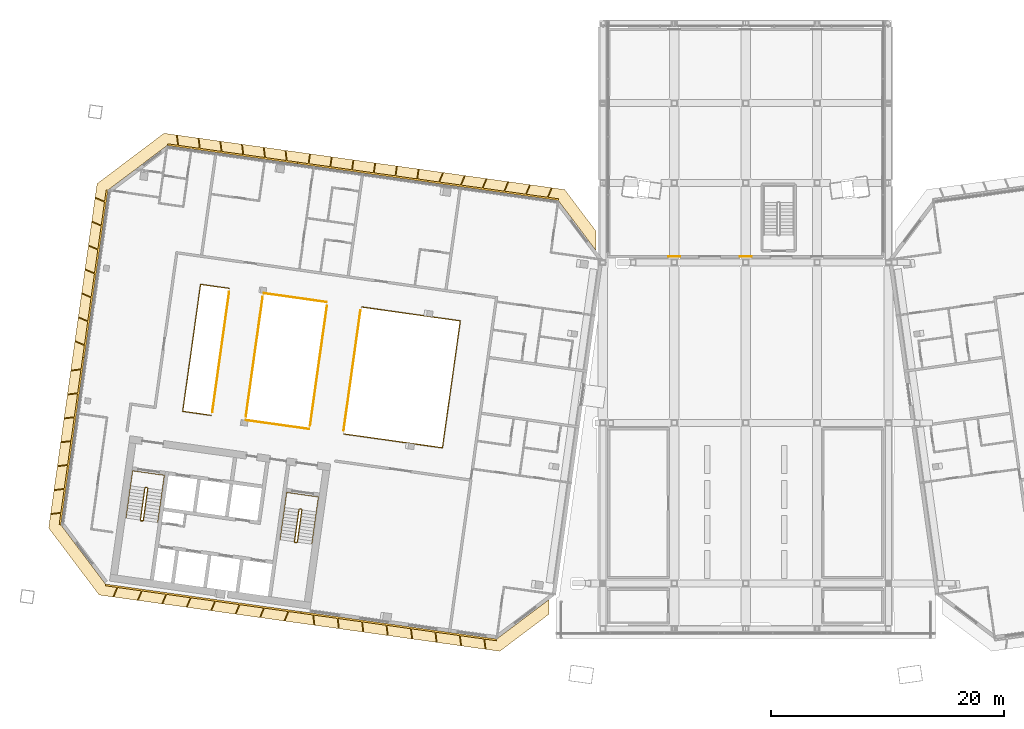
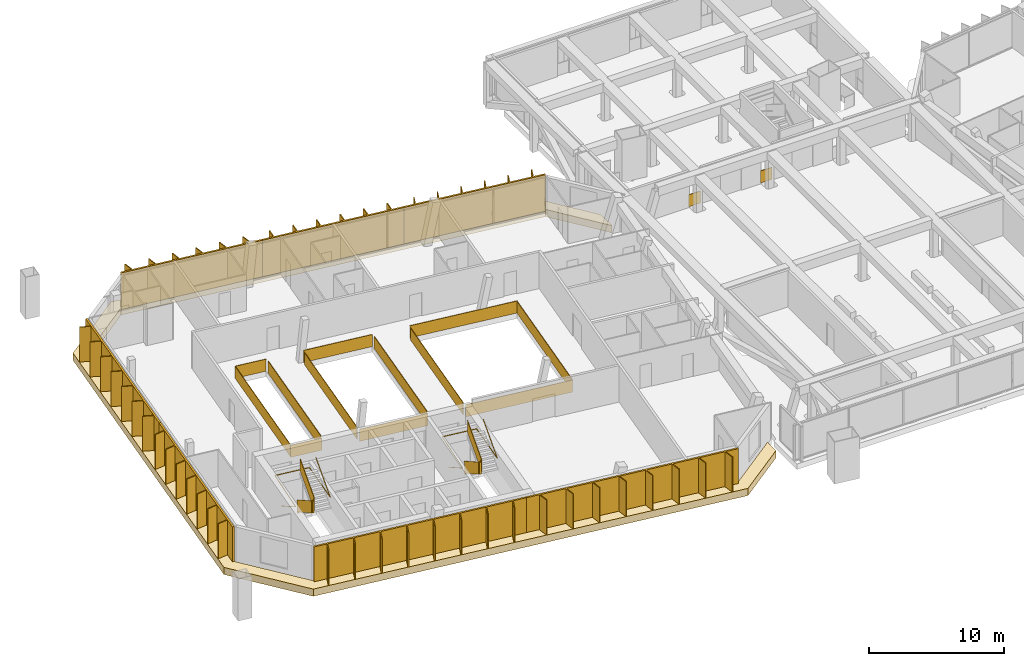
# One storey, part 23 of 25: 14 railings, 7 shading devices, 1 covering.
"""IFC4 building model written with IfcOpenShell, lengths in metres."""

from ifc_helpers import new_model, si_unit, direction, frame, origin, origin_2d, place, context, subcontext, project, spatial, polyline, rectangle, outline, extrude, material, layer, layer_set, type_object, element, save


model = new_model("IFC4")

# Units and contexts
model_context = context("Model", 3, precision=1e-05, world=origin(), true_north=direction((0.0, 1.0)))
body_context = subcontext(model_context, "Body", "Model", "MODEL_VIEW")
ifc_project = project(units=[si_unit("LENGTHUNIT", "METRE"), si_unit("AREAUNIT", "SQUARE_METRE"), si_unit("VOLUMEUNIT", "CUBIC_METRE"), si_unit("PLANEANGLEUNIT", "RADIAN"), si_unit("MASSUNIT", "GRAM", prefix="KILO")], contexts=[model_context])

# Site, building, storey
site_placement = place(None, origin())
site = spatial("IfcSite", under=ifc_project, at=site_placement, CompositionType="ELEMENT")
building_placement = place(site_placement, origin())
building = spatial("IfcBuilding", under=site, at=building_placement, Name="Mirante Cascada Hotel Towers", CompositionType="ELEMENT")
storey_placement = place(building_placement, frame((0.0, 0.0, 266.0)))
storey = spatial("IfcBuildingStorey", under=building, at=storey_placement, Name="L64", CompositionType="ELEMENT", Elevation=266.0)

# Railings
ifc_material_1 = material(Name="Toughened glass with stainless steel handrail", Category="steel")
railing_type_1 = type_object("IfcRailingType", Name="Atrium guard 1100 glass balustrade", PredefinedType="GUARDRAIL", material=ifc_material_1)
railing_1_placement = place(storey_placement, frame((-32.9602, 6.0907, 0.0)))
element("IfcRailing", 1, at=railing_1_placement, inside=storey, type_object=railing_type_1, Name="GUARD 1-L64-1", PredefinedType="GUARDRAIL", context=body_context, shape_type="SweptSolid", body=[
    extrude(rectangle(XDim=0.048, YDim=0.048, at=origin_2d()), frame((0.0, 0.0, 1.076), z_axis=(0.990269, -0.1391666, 0.0), x_axis=(0.1391666, 0.990269, 0.0)), (0.0, 0.0, 1.0), 8.5574),
    extrude(rectangle(XDim=0.02, YDim=1.052, at=origin_2d()), frame((0.0, 0.0, 0.526), z_axis=(0.990269, -0.1391666, 0.0), x_axis=(0.1391666, 0.990269, 0.0)), (0.0, 0.0, 1.0), 8.5574),
    extrude(rectangle(XDim=0.048, YDim=0.048, at=origin_2d()), frame((8.4741, -1.1909, 1.076), z_axis=(-0.1391721, -0.9902682, 0.0), x_axis=(0.9902682, -0.1391721, 0.0)), (0.0, 0.0, 1.0), 11.0001),
    extrude(rectangle(XDim=0.02, YDim=1.052, at=origin_2d()), frame((8.4741, -1.1909, 0.526), z_axis=(-0.1391721, -0.9902682, 0.0), x_axis=(0.9902682, -0.1391721, 0.0)), (0.0, 0.0, 1.0), 11.0001),
    extrude(rectangle(XDim=0.048, YDim=0.048, at=origin_2d()), frame((6.9432, -12.0839, 1.076), z_axis=(-0.9902674, 0.139178, 0.0), x_axis=(-0.139178, -0.9902674, 0.0)), (0.0, 0.0, 1.0), 8.5574),
    extrude(rectangle(XDim=0.02, YDim=1.052, at=origin_2d()), frame((6.9432, -12.0839, 0.526), z_axis=(-0.9902674, 0.139178, 0.0), x_axis=(-0.139178, -0.9902674, 0.0)), (0.0, 0.0, 1.0), 8.5574),
])
railing_2_placement = place(storey_placement, frame((-37.4619, -4.3847, 0.0)))
element("IfcRailing", 2, at=railing_2_placement, inside=storey, type_object=railing_type_1, Name="GUARD 1-L64-2", PredefinedType="GUARDRAIL", context=body_context, shape_type="SweptSolid", body=[
    extrude(rectangle(XDim=0.048, YDim=0.048, at=origin_2d()), frame((0.0, 0.0, 1.076), z_axis=(-0.9902697, 0.1391616, 0.0), x_axis=(-0.1391616, -0.9902697, 0.0)), (0.0, 0.0, 1.0), 5.4713),
    extrude(rectangle(XDim=0.02, YDim=1.052, at=origin_2d()), frame((0.0, 0.0, 0.526), z_axis=(-0.9902697, 0.1391616, 0.0), x_axis=(-0.1391616, -0.9902697, 0.0)), (0.0, 0.0, 1.0), 5.4713),
])
railing_3_placement = place(storey_placement, frame((-41.3491, 7.2697, 0.0)))
element("IfcRailing", 3, at=railing_3_placement, inside=storey, type_object=railing_type_1, Name="GUARD 1-L64-3", PredefinedType="GUARDRAIL", context=body_context, shape_type="SweptSolid", body=[
    extrude(rectangle(XDim=0.048, YDim=0.048, at=origin_2d()), frame((0.0, 0.0, 1.076), z_axis=(0.9902672, -0.1391795, 0.0), x_axis=(0.1391795, 0.9902672, 0.0)), (0.0, 0.0, 1.0), 5.4714),
    extrude(rectangle(XDim=0.02, YDim=1.052, at=origin_2d()), frame((0.0, 0.0, 0.526), z_axis=(0.9902672, -0.1391795, 0.0), x_axis=(0.1391795, 0.9902672, 0.0)), (0.0, 0.0, 1.0), 5.4714),
])
railing_4_placement = place(storey_placement, frame((-45.8508, -3.2057, 0.0)))
element("IfcRailing", 4, at=railing_4_placement, inside=storey, type_object=railing_type_1, Name="GUARD 1-L64-4", PredefinedType="GUARDRAIL", context=body_context, shape_type="SweptSolid", body=[
    extrude(rectangle(XDim=0.048, YDim=0.048, at=origin_2d()), frame((0.0, 0.0, 1.076), z_axis=(-0.9902698, 0.1391606, 0.0), x_axis=(-0.1391606, -0.9902698, 0.0)), (0.0, 0.0, 1.0), 2.4712),
    extrude(rectangle(XDim=0.02, YDim=1.052, at=origin_2d()), frame((0.0, 0.0, 0.526), z_axis=(-0.9902698, 0.1391606, 0.0), x_axis=(-0.1391606, -0.9902698, 0.0)), (0.0, 0.0, 1.0), 2.4712),
    extrude(rectangle(XDim=0.048, YDim=0.048, at=origin_2d()), frame((-2.4472, 0.3439, 1.076), z_axis=(0.1391721, 0.9902682, 0.0), x_axis=(-0.9902682, 0.1391721, 0.0)), (0.0, 0.0, 1.0), 11.0001),
    extrude(rectangle(XDim=0.02, YDim=1.052, at=origin_2d()), frame((-2.4472, 0.3439, 0.526), z_axis=(0.1391721, 0.9902682, 0.0), x_axis=(-0.9902682, 0.1391721, 0.0)), (0.0, 0.0, 1.0), 11.0001),
    extrude(rectangle(XDim=0.048, YDim=0.048, at=origin_2d()), frame((-0.9163, 11.2369, 1.076), z_axis=(0.9902642, -0.1392003, 0.0), x_axis=(0.1392003, 0.9902642, 0.0)), (0.0, 0.0, 1.0), 2.4713),
    extrude(rectangle(XDim=0.02, YDim=1.052, at=origin_2d()), frame((-0.9163, 11.2369, 0.526), z_axis=(0.9902642, -0.1392003, 0.0), x_axis=(0.1392003, 0.9902642, 0.0)), (0.0, 0.0, 1.0), 2.4713),
])
railing_5_placement = place(storey_placement, frame((-45.7611, -2.9198, 0.0)))
element("IfcRailing", 5, at=railing_5_placement, inside=storey, type_object=railing_type_1, Name="GUARD 1-L64-5", PredefinedType="GUARDRAIL", context=body_context, shape_type="SweptSolid", body=[
    extrude(rectangle(XDim=0.048, YDim=0.048, at=origin_2d()), frame((0.0, 0.0, 1.076), z_axis=(0.1391815, 0.9902669, 0.0), x_axis=(-0.9902669, 0.1391815, 0.0)), (0.0, 0.0, 1.0), 10.4087),
    extrude(rectangle(XDim=0.02, YDim=1.052, at=origin_2d()), frame((0.0, 0.0, 0.526), z_axis=(0.1391815, 0.9902669, 0.0), x_axis=(-0.9902669, 0.1391815, 0.0)), (0.0, 0.0, 1.0), 10.4087),
])
railing_6_placement = place(storey_placement, frame((-41.4388, 6.9838, 0.0)))
element("IfcRailing", 6, at=railing_6_placement, inside=storey, type_object=railing_type_1, Name="GUARD 1-L64-6", PredefinedType="GUARDRAIL", context=body_context, shape_type="SweptSolid", body=[
    extrude(rectangle(XDim=0.048, YDim=0.048, at=origin_2d()), frame((0.0, 0.0, 1.076), z_axis=(-0.1391708, -0.9902684, 0.0), x_axis=(0.9902684, -0.1391708, 0.0)), (0.0, 0.0, 1.0), 10.4088),
    extrude(rectangle(XDim=0.02, YDim=1.052, at=origin_2d()), frame((0.0, 0.0, 0.526), z_axis=(-0.1391708, -0.9902684, 0.0), x_axis=(0.9902684, -0.1391708, 0.0)), (0.0, 0.0, 1.0), 10.4088),
])
railing_7_placement = place(storey_placement, frame((-37.3722, -4.0988, 0.0)))
element("IfcRailing", 7, at=railing_7_placement, inside=storey, type_object=railing_type_1, Name="GUARD 1-L64-7", PredefinedType="GUARDRAIL", context=body_context, shape_type="SweptSolid", body=[
    extrude(rectangle(XDim=0.048, YDim=0.048, at=origin_2d()), frame((0.0, 0.0, 1.076), z_axis=(0.1391721, 0.9902682, 0.0), x_axis=(-0.9902682, 0.1391721, 0.0)), (0.0, 0.0, 1.0), 10.4087),
    extrude(rectangle(XDim=0.02, YDim=1.052, at=origin_2d()), frame((0.0, 0.0, 0.526), z_axis=(0.1391721, 0.9902682, 0.0), x_axis=(-0.9902682, 0.1391721, 0.0)), (0.0, 0.0, 1.0), 10.4087),
])
railing_8_placement = place(storey_placement, frame((-33.0499, 5.8048, 0.0)))
element("IfcRailing", 8, at=railing_8_placement, inside=storey, type_object=railing_type_1, Name="GUARD 1-L64-8", PredefinedType="GUARDRAIL", context=body_context, shape_type="SweptSolid", body=[
    extrude(rectangle(XDim=0.048, YDim=0.048, at=origin_2d()), frame((0.0, 0.0, 1.076), z_axis=(-0.1391721, -0.9902682, 0.0), x_axis=(0.9902682, -0.1391721, 0.0)), (0.0, 0.0, 1.0), 10.4087),
    extrude(rectangle(XDim=0.02, YDim=1.052, at=origin_2d()), frame((0.0, 0.0, 0.526), z_axis=(-0.1391721, -0.9902682, 0.0), x_axis=(0.9902682, -0.1391721, 0.0)), (0.0, 0.0, 1.0), 10.4087),
])

# Covering
ifc_material_2 = material(Name="Precast concrete C40/50 white", Category="concrete")
ifc_layer = layer(ifc_material_2, 0.6)
ifc_layer_set = layer_set([ifc_layer], Name="Precast concrete SUNSHADE band 1000x600")
covering_type = type_object("IfcCoveringType", Name="Precast concrete SUNSHADE band 1000x600", PredefinedType="CLADDING", material=ifc_layer_set)
covering_placement = place(storey_placement, frame((0.0, 0.0, -0.5)))
element("IfcCovering", 9, at=covering_placement, inside=storey, type_object=covering_type, Name="Precast concrete SUNSHADE band T1 L64", PredefinedType="CLADDING", context=body_context, shape_type="SweptSolid", body=[
    extrude(outline(polyline([(-55.6518, 16.6659), (-49.9078, 20.9944), (-15.5319, 16.1632), (-12.8514, 12.606), (-12.8514, 10.9443), (-16.0813, 15.2306), (-49.6367, 19.9465), (-54.7192, 16.1166), (-58.7552, -12.6012), (-54.9253, -17.6837), (-21.3699, -22.3996), (-16.8874, -19.0218), (-16.8874, -20.2739), (-21.0989, -23.4475), (-55.4747, -18.6163), (-59.8032, -12.8722), (-55.6518, 16.6659)])), origin(), (0.0, 0.0, 1.0), 0.65),
])

# Railings
ifc_material_3 = material(Name="Painted steel", Category="steel")
railing_type_2 = type_object("IfcRailingType", Name="Stair guard 1100 steel balustrade", PredefinedType="GUARDRAIL", material=ifc_material_3)
railing_9_placement = place(storey_placement, frame((-38.1178, -11.2603, 0.0)))
element("IfcRailing", 10, at=railing_9_placement, inside=storey, type_object=railing_type_2, Name="L64 ST1-A stair guard 1", PredefinedType="GUARDRAIL", context=body_context, shape_type="SweptSolid", body=[
    extrude(rectangle(XDim=0.048, YDim=0.048, at=origin_2d()), frame((0.0, 0.0, 1.076), z_axis=(-0.9903326, 0.1387133, 0.0), x_axis=(-0.1387133, -0.9903326, 0.0)), (0.0, 0.0, 1.0), 0.1499),
    extrude(rectangle(XDim=0.02, YDim=1.052, at=origin_2d()), frame((0.0, 0.0, 0.526), z_axis=(-0.9903326, 0.1387133, 0.0), x_axis=(-0.1387133, -0.9903326, 0.0)), (0.0, 0.0, 1.0), 0.1499),
    extrude(rectangle(XDim=0.048, YDim=0.048, at=origin_2d()), frame((-0.1485, 0.0208, 1.076), z_axis=(-0.7991505, -0.6011309, 0.0), x_axis=(0.6011309, -0.7991505, 0.0)), (0.0, 0.9254529, 0.3788627), 0.1866),
    extrude(rectangle(XDim=0.02, YDim=1.052, at=origin_2d()), frame((-0.1485, 0.0208, 0.526), z_axis=(-0.7991505, -0.6011309, 0.0), x_axis=(0.6011309, -0.7991505, 0.0)), (0.0, 0.9254529, 0.3788627), 0.1866),
    extrude(rectangle(XDim=0.048, YDim=0.048, at=origin_2d()), frame((-0.205, -0.0217, 1.2487), z_axis=(-0.139176, -0.9902677, 0.0), x_axis=(0.9902677, -0.139176, 0.0)), (0.0, 0.5250212, 0.8510891), 3.29),
    extrude(rectangle(XDim=0.02, YDim=1.052, at=origin_2d()), frame((-0.205, -0.0217, 0.6987), z_axis=(-0.139176, -0.9902677, 0.0), x_axis=(0.9902677, -0.139176, 0.0)), (0.0, 0.5250212, 0.8510891), 3.29),
    extrude(rectangle(XDim=0.048, YDim=0.048, at=origin_2d()), frame((-0.5947, -2.7945, 2.976), z_axis=(0.9270311, -0.3749843, 0.0), x_axis=(0.3749843, 0.9270311, 0.0)), (0.0, 0.0, 1.0), 0.2061),
    extrude(rectangle(XDim=0.02, YDim=1.052, at=origin_2d()), frame((-0.5947, -2.7945, 2.426), z_axis=(0.9270311, -0.3749843, 0.0), x_axis=(0.3749843, 0.9270311, 0.0)), (0.0, 0.0, 1.0), 0.2061),
    extrude(rectangle(XDim=0.048, YDim=0.048, at=origin_2d()), frame((-0.4036, -2.8718, 2.976), z_axis=(-0.9902408, 0.1393672, 0.0), x_axis=(-0.1393672, -0.9902408, 0.0)), (0.0, 0.0, 1.0), 0.15),
    extrude(rectangle(XDim=0.02, YDim=1.052, at=origin_2d()), frame((-0.4036, -2.8718, 2.426), z_axis=(-0.9902408, 0.1393672, 0.0), x_axis=(-0.1393672, -0.9902408, 0.0)), (0.0, 0.0, 1.0), 0.15),
    extrude(rectangle(XDim=0.048, YDim=0.048, at=origin_2d()), frame((-0.5521, -2.8509, 2.976), z_axis=(0.9944948, 0.1047858, 0.0), x_axis=(-0.1047858, 0.9944948, 0.0)), (0.0, 0.6422034, 0.7665343), 0.2689),
    extrude(rectangle(XDim=0.02, YDim=1.052, at=origin_2d()), frame((-0.5521, -2.8509, 2.426), z_axis=(0.9944948, 0.1047858, 0.0), x_axis=(-0.1047858, 0.9944948, 0.0)), (0.0, 0.6422034, 0.7665343), 0.2689),
    extrude(rectangle(XDim=0.048, YDim=0.048, at=origin_2d()), frame((-0.3471, -2.8293, 3.1487), z_axis=(0.139176, 0.9902677, 0.0), x_axis=(-0.9902677, 0.139176, 0.0)), (0.0, 0.5250212, 0.8510891), 3.29),
    extrude(rectangle(XDim=0.02, YDim=1.052, at=origin_2d()), frame((-0.3471, -2.8293, 2.5987), z_axis=(0.139176, 0.9902677, 0.0), x_axis=(-0.9902677, 0.139176, 0.0)), (0.0, 0.5250212, 0.8510891), 3.29),
])
railing_10_placement = place(storey_placement, frame((-51.3379, -9.4024, 0.0)))
element("IfcRailing", 11, at=railing_10_placement, inside=storey, type_object=railing_type_2, Name="L64 ST1-B stair guard 1", PredefinedType="GUARDRAIL", context=body_context, shape_type="SweptSolid", body=[
    extrude(rectangle(XDim=0.048, YDim=0.048, at=origin_2d()), frame((0.0, 0.0, 1.076), z_axis=(-0.9902408, 0.1393672, 0.0), x_axis=(-0.1393672, -0.9902408, 0.0)), (0.0, 0.0, 1.0), 0.15),
    extrude(rectangle(XDim=0.02, YDim=1.052, at=origin_2d()), frame((0.0, 0.0, 0.526), z_axis=(-0.9902408, 0.1393672, 0.0), x_axis=(-0.1393672, -0.9902408, 0.0)), (0.0, 0.0, 1.0), 0.15),
    extrude(rectangle(XDim=0.048, YDim=0.048, at=origin_2d()), frame((-0.1485, 0.0209, 1.076), z_axis=(-0.7984711, -0.6020331, 0.0), x_axis=(0.6020331, -0.7984711, 0.0)), (0.0, 0.9253398, 0.3791387), 0.1866),
    extrude(rectangle(XDim=0.02, YDim=1.052, at=origin_2d()), frame((-0.1485, 0.0209, 0.526), z_axis=(-0.7984711, -0.6020331, 0.0), x_axis=(0.6020331, -0.7984711, 0.0)), (0.0, 0.9253398, 0.3791387), 0.1866),
    extrude(rectangle(XDim=0.048, YDim=0.048, at=origin_2d()), frame((-0.205, -0.0217, 1.2487), z_axis=(-0.139181, -0.990267, 0.0), x_axis=(0.990267, -0.139181, 0.0)), (0.0, 0.5250347, 0.8510808), 3.2899),
    extrude(rectangle(XDim=0.02, YDim=1.052, at=origin_2d()), frame((-0.205, -0.0217, 0.6987), z_axis=(-0.139181, -0.990267, 0.0), x_axis=(0.990267, -0.139181, 0.0)), (0.0, 0.5250347, 0.8510808), 3.2899),
    extrude(rectangle(XDim=0.048, YDim=0.048, at=origin_2d()), frame((-0.5947, -2.7944, 2.976), z_axis=(0.9268624, -0.3754011, 0.0), x_axis=(0.3754011, 0.9268624, 0.0)), (0.0, 0.0, 1.0), 0.2062),
    extrude(rectangle(XDim=0.02, YDim=1.052, at=origin_2d()), frame((-0.5947, -2.7944, 2.426), z_axis=(0.9268624, -0.3754011, 0.0), x_axis=(0.3754011, 0.9268624, 0.0)), (0.0, 0.0, 1.0), 0.2062),
    extrude(rectangle(XDim=0.048, YDim=0.048, at=origin_2d()), frame((-0.4036, -2.8718, 2.976), z_axis=(-0.9902408, 0.1393672, 0.0), x_axis=(-0.1393672, -0.9902408, 0.0)), (0.0, 0.0, 1.0), 0.15),
    extrude(rectangle(XDim=0.02, YDim=1.052, at=origin_2d()), frame((-0.4036, -2.8718, 2.426), z_axis=(-0.9902408, 0.1393672, 0.0), x_axis=(-0.1393672, -0.9902408, 0.0)), (0.0, 0.0, 1.0), 0.15),
    extrude(rectangle(XDim=0.048, YDim=0.048, at=origin_2d()), frame((-0.5521, -2.8509, 2.976), z_axis=(0.9944441, 0.1052656, 0.0), x_axis=(-0.1052656, 0.9944441, 0.0)), (0.0, 0.6421842, 0.7665504), 0.2689),
    extrude(rectangle(XDim=0.02, YDim=1.052, at=origin_2d()), frame((-0.5521, -2.8509, 2.426), z_axis=(0.9944441, 0.1052656, 0.0), x_axis=(-0.1052656, 0.9944441, 0.0)), (0.0, 0.6421842, 0.7665504), 0.2689),
    extrude(rectangle(XDim=0.048, YDim=0.048, at=origin_2d()), frame((-0.3471, -2.8292, 3.1487), z_axis=(0.139181, 0.990267, 0.0), x_axis=(-0.990267, 0.139181, 0.0)), (0.0, 0.5250347, 0.8510808), 3.2899),
    extrude(rectangle(XDim=0.02, YDim=1.052, at=origin_2d()), frame((-0.3471, -2.8292, 2.5987), z_axis=(0.139181, 0.990267, 0.0), x_axis=(-0.990267, 0.139181, 0.0)), (0.0, 0.5250347, 0.8510808), 3.2899),
])
ifc_material_4 = material(Name="Painted steel", Category="steel")
railing_type_3 = type_object("IfcRailingType", Name="Stair handrail 900 steel tube", PredefinedType="HANDRAIL", material=ifc_material_4)
railing_11_placement = place(storey_placement, frame((-39.5606, -11.1081, 0.1727)))
element("IfcRailing", 12, at=railing_11_placement, inside=storey, type_object=railing_type_3, Name="L64 ST1-A stair handrail 1", PredefinedType="HANDRAIL", context=body_context, shape_type="SweptSolid", body=[
    extrude(rectangle(XDim=0.048, YDim=0.048, at=origin_2d()), frame((0.0, 0.0, 0.876), z_axis=(-0.139181, -0.990267, 0.0), x_axis=(0.990267, -0.139181, 0.0)), (0.0, 0.5250347, 0.8510808), 3.2899),
    extrude(rectangle(XDim=0.048, YDim=0.048, at=origin_2d()), frame((-0.3897, -2.7727, 2.6033), z_axis=(0.1391707, 0.9902684, 0.0), x_axis=(-0.9902684, 0.1391707, 0.0)), (0.0, 0.0420846, 0.999114), 4.1036),
    extrude(rectangle(XDim=0.048, YDim=0.048, at=origin_2d()), frame((0.1809, 1.2874, 2.776), z_axis=(0.9902691, -0.1391657, 0.0), x_axis=(0.1391657, 0.9902691, 0.0)), (0.0, 0.0, 1.0), 2.75),
    extrude(rectangle(XDim=0.048, YDim=0.048, at=origin_2d()), frame((2.9041, 0.9047, 2.776), z_axis=(-0.1391707, -0.9902684, 0.0), x_axis=(0.9902684, -0.1391707, 0.0)), (0.0, 0.0, 1.0), 4.1),
    extrude(rectangle(XDim=0.048, YDim=0.048, at=origin_2d()), frame((2.3335, -3.1554, 2.776), z_axis=(0.139181, 0.990267, 0.0), x_axis=(-0.990267, 0.139181, 0.0)), (0.0, 0.5250347, 0.8510808), 3.2899),
])
railing_12_placement = place(storey_placement, frame((-52.7807, -9.2501, 0.1727)))
element("IfcRailing", 13, at=railing_12_placement, inside=storey, type_object=railing_type_3, Name="L64 ST1-B stair handrail 1", PredefinedType="HANDRAIL", context=body_context, shape_type="SweptSolid", body=[
    extrude(rectangle(XDim=0.048, YDim=0.048, at=origin_2d()), frame((0.0, 0.0, 0.876), z_axis=(-0.139181, -0.990267, 0.0), x_axis=(0.990267, -0.139181, 0.0)), (0.0, 0.5250347, 0.8510808), 3.2899),
    extrude(rectangle(XDim=0.048, YDim=0.048, at=origin_2d()), frame((-0.3897, -2.7727, 2.6033), z_axis=(0.1391707, 0.9902684, 0.0), x_axis=(-0.9902684, 0.1391707, 0.0)), (0.0, 0.0420846, 0.999114), 4.1036),
    extrude(rectangle(XDim=0.048, YDim=0.048, at=origin_2d()), frame((0.1809, 1.2874, 2.776), z_axis=(0.9902641, -0.1392013, 0.0), x_axis=(0.1392013, 0.9902641, 0.0)), (0.0, 0.0, 1.0), 2.75),
    extrude(rectangle(XDim=0.048, YDim=0.048, at=origin_2d()), frame((2.9041, 0.9046, 2.776), z_axis=(-0.1391707, -0.9902684, 0.0), x_axis=(0.9902684, -0.1391707, 0.0)), (0.0, 0.0, 1.0), 4.1),
    extrude(rectangle(XDim=0.048, YDim=0.048, at=origin_2d()), frame((2.3335, -3.1555, 2.776), z_axis=(0.139176, 0.9902677, 0.0), x_axis=(-0.9902677, 0.139176, 0.0)), (0.0, 0.5250212, 0.8510891), 3.29),
])
ifc_material_5 = material(Name="Toughened glass", Category="glass")
railing_type_4 = type_object("IfcRailingType", Name="Truss bay glazed screen 1100", PredefinedType="GUARDRAIL", material=ifc_material_5)
for number, where, name in (
    (14, (-6.63, 10.41, 0.0), "Truss bay glazed screen L64 1"),
    (15, (-0.5, 10.41, 0.0), "Truss bay glazed screen L64 2"),
):
    element("IfcRailing", number, at=place(storey_placement, frame(where)), inside=storey, type_object=railing_type_4, Name=name, PredefinedType="GUARDRAIL", context=body_context, shape_type="SweptSolid", body=[
        extrude(rectangle(XDim=0.048, YDim=0.048, at=origin_2d()), frame((0.0, 0.0, 1.076), z_axis=(1.0, 0.0, 0.0), x_axis=(0.0, 1.0, 0.0)), (0.0, 0.0, 1.0), 1.0),
        extrude(rectangle(XDim=0.02, YDim=1.052, at=origin_2d()), frame((0.0, 0.0, 0.526), z_axis=(1.0, 0.0, 0.0), x_axis=(0.0, 1.0, 0.0)), (0.0, 0.0, 1.0), 1.0),
    ])

# Shading devices
ifc_material_6 = material(Name="White precast concrete C50/60 fin", Category="concrete")
shading_device_type = type_object("IfcShadingDeviceType", Name="Vertical fin set 4500x900", PredefinedType="USERDEFINED", material=ifc_material_6)
shading_device_1_placement = place(storey_placement, origin())
element("IfcShadingDevice", 16, at=shading_device_1_placement, inside=storey, type_object=shading_device_type, Name="FIN T1 L64 front 1", ObjectType="FIN", PredefinedType="USERDEFINED", context=body_context, shape_type="SweptSolid", body=[
    extrude(outline(polyline([(-39.4398, 19.5027), (-39.3351, 18.6502), (-38.4307, 18.5231), (-38.4516, 18.3745), (-49.6367, 19.9465), (-49.6159, 20.095), (-48.738, 19.9717), (-48.8401, 20.8029), (-48.7607, 20.8127), (-48.656, 19.9601), (-46.8739, 19.7097), (-46.9759, 20.5409), (-46.8965, 20.5507), (-46.7918, 19.6981), (-45.0097, 19.4477), (-45.1117, 20.2789), (-45.0323, 20.2887), (-44.9276, 19.4361), (-43.1455, 19.1857), (-43.2475, 20.0169), (-43.1681, 20.0267), (-43.0635, 19.1741), (-41.2813, 18.9237), (-41.3833, 19.755), (-41.3039, 19.7647), (-41.1993, 18.9122), (-39.4171, 18.6617), (-39.5192, 19.493), (-39.4398, 19.5027)])), origin(), (0.0, 0.0, 1.0), 3.3),
])
shading_device_2_placement = place(storey_placement, origin())
element("IfcShadingDevice", 17, at=shading_device_2_placement, inside=storey, type_object=shading_device_type, Name="FIN T1 L64 front 2", ObjectType="FIN", PredefinedType="USERDEFINED", context=body_context, shape_type="SweptSolid", body=[
    extrude(outline(polyline([(-28.0198, 17.9182), (-28.1381, 17.0765), (-27.2456, 16.9511), (-27.2664, 16.8025), (-38.4516, 18.3745), (-38.4307, 18.5231), (-37.5382, 18.3976), (-37.4199, 19.2394), (-37.3407, 19.2282), (-37.459, 18.3865), (-35.674, 18.1356), (-35.5557, 18.9774), (-35.4765, 18.9662), (-35.5948, 18.1245), (-33.8098, 17.8736), (-33.6916, 18.7154), (-33.6123, 18.7042), (-33.7306, 17.8625), (-31.9457, 17.6116), (-31.8274, 18.4534), (-31.7481, 18.4422), (-31.8664, 17.6005), (-30.0815, 17.3496), (-29.9632, 18.1914), (-29.8839, 18.1802), (-30.0022, 17.3385), (-28.2173, 17.0877), (-28.099, 17.9294), (-28.0198, 17.9182)])), origin(), (0.0, 0.0, 1.0), 3.3),
])
shading_device_3_placement = place(storey_placement, origin())
element("IfcShadingDevice", 18, at=shading_device_3_placement, inside=storey, type_object=shading_device_type, Name="FIN T1 L64 front 3", ObjectType="FIN", PredefinedType="USERDEFINED", context=body_context, shape_type="SweptSolid", body=[
    extrude(outline(polyline([(-16.611, 16.2734), (-16.9382, 15.5025), (-16.0604, 15.3791), (-16.0813, 15.2306), (-27.2664, 16.8025), (-27.2456, 16.9511), (-26.3412, 16.824), (-26.0056, 17.6147), (-25.932, 17.5834), (-26.2592, 16.8125), (-24.477, 16.562), (-24.1414, 17.3527), (-24.0678, 17.3214), (-24.395, 16.5505), (-22.6128, 16.3), (-22.2772, 17.0907), (-22.2036, 17.0594), (-22.5308, 16.2885), (-20.7486, 16.038), (-20.413, 16.8287), (-20.3394, 16.7974), (-20.6666, 16.0265), (-18.8844, 15.776), (-18.5488, 16.5667), (-18.4752, 16.5354), (-18.8024, 15.7645), (-17.0203, 15.514), (-16.6846, 16.3047), (-16.611, 16.2734)])), origin(), (0.0, 0.0, 1.0), 3.3),
])
shading_device_4_placement = place(storey_placement, origin())
element("IfcShadingDevice", 19, at=shading_device_4_placement, inside=storey, type_object=shading_device_type, Name="FIN T1 L64 outer 1", ObjectType="FIN", PredefinedType="USERDEFINED", context=body_context, shape_type="SweptSolid", body=[
    extrude(outline(polyline([(-58.7557, -11.527), (-58.479, -9.5577), (-59.3103, -9.6598), (-59.32, -9.5804), (-58.4675, -9.4757), (-58.1907, -7.5064), (-59.022, -7.6085), (-59.0317, -7.5291), (-58.1792, -7.4244), (-57.9024, -5.4552), (-58.7337, -5.5572), (-58.7434, -5.4778), (-57.8909, -5.3732), (-57.6141, -3.4039), (-58.4454, -3.506), (-58.4551, -3.4266), (-57.6026, -3.3219), (-57.3258, -1.3526), (-58.1571, -1.4547), (-58.1669, -1.3753), (-57.3143, -1.2706), (-57.0375, 0.6986), (-57.8688, 0.5966), (-57.8786, 0.676), (-57.026, 0.7807), (-56.8858, 1.7785), (-56.7372, 1.7577), (-58.7552, -12.6012), (-58.9038, -12.5803), (-58.7673, -11.609), (-59.5985, -11.711), (-59.6083, -11.6316), (-58.7557, -11.527)])), origin(), (0.0, 0.0, 1.0), 3.3),
])
shading_device_5_placement = place(storey_placement, origin())
element("IfcShadingDevice", 20, at=shading_device_5_placement, inside=storey, type_object=shading_device_type, Name="FIN T1 L64 outer 2", ObjectType="FIN", PredefinedType="USERDEFINED", context=body_context, shape_type="SweptSolid", body=[
    extrude(outline(polyline([(-56.734, 2.8585), (-56.4572, 4.8277), (-57.2479, 5.1633), (-57.2167, 5.237), (-56.4457, 4.9097), (-56.169, 6.879), (-56.9596, 7.2146), (-56.9284, 7.2882), (-56.1574, 6.961), (-55.8807, 8.9303), (-56.6713, 9.2659), (-56.6401, 9.3395), (-55.8691, 9.0123), (-55.5924, 10.9815), (-56.3831, 11.3171), (-56.3518, 11.3908), (-55.5809, 11.0635), (-55.3041, 13.0328), (-56.0948, 13.3684), (-56.0635, 13.4421), (-55.2926, 13.1148), (-55.0158, 15.0841), (-55.8065, 15.4197), (-55.7752, 15.4933), (-55.0043, 15.1661), (-54.8678, 16.1374), (-54.7192, 16.1166), (-56.7372, 1.7577), (-56.8858, 1.7785), (-56.7455, 2.7764), (-57.5362, 3.1121), (-57.5049, 3.1857), (-56.734, 2.8585)])), origin(), (0.0, 0.0, 1.0), 3.3),
])
shading_device_6_placement = place(storey_placement, origin())
element("IfcShadingDevice", 21, at=shading_device_6_placement, inside=storey, type_object=shading_device_type, Name="FIN T1 L64 rear 1", ObjectType="FIN", PredefinedType="USERDEFINED", context=body_context, shape_type="SweptSolid", body=[
    extrude(outline(polyline([(-22.4671, -22.3969), (-24.4823, -22.1137), (-24.3802, -22.9449), (-24.4596, -22.9547), (-24.5643, -22.1021), (-26.5795, -21.8189), (-26.4774, -22.6502), (-26.5568, -22.6599), (-26.6615, -21.8074), (-28.6767, -21.5242), (-28.5747, -22.3554), (-28.6541, -22.3652), (-28.7587, -21.5126), (-30.7739, -21.2294), (-30.6719, -22.0607), (-30.7513, -22.0705), (-30.856, -21.2179), (-32.8712, -20.9347), (-32.7691, -21.766), (-32.8485, -21.7757), (-32.9532, -20.9232), (-34.9684, -20.6399), (-34.8663, -21.4712), (-34.9457, -21.481), (-35.0504, -20.6284), (-37.0656, -20.3452), (-36.9635, -21.1765), (-37.0429, -21.1862), (-37.1476, -20.3337), (-38.1685, -20.1902), (-38.1476, -20.0417), (-21.3699, -22.3996), (-21.3907, -22.5481), (-22.3851, -22.4084), (-22.283, -23.2397), (-22.3624, -23.2494), (-22.4671, -22.3969)])), origin(), (0.0, 0.0, 1.0), 3.3),
])
shading_device_7_placement = place(storey_placement, origin())
element("IfcShadingDevice", 22, at=shading_device_7_placement, inside=storey, type_object=shading_device_type, Name="FIN T1 L64 rear 2", ObjectType="FIN", PredefinedType="USERDEFINED", context=body_context, shape_type="SweptSolid", body=[
    extrude(outline(polyline([(-39.2714, -20.0352), (-41.2866, -19.752), (-41.6222, -20.5426), (-41.6958, -20.5114), (-41.3686, -19.7404), (-43.3838, -19.4572), (-43.7194, -20.2479), (-43.793, -20.2166), (-43.4658, -19.4457), (-45.481, -19.1625), (-45.8166, -19.9532), (-45.8902, -19.9219), (-45.563, -19.151), (-47.5782, -18.8677), (-47.9138, -19.6584), (-47.9875, -19.6272), (-47.6602, -18.8562), (-49.6754, -18.573), (-50.011, -19.3637), (-50.0847, -19.3324), (-49.7574, -18.5615), (-51.7726, -18.2783), (-52.1083, -19.0689), (-52.1819, -19.0377), (-51.8546, -18.2667), (-53.8698, -17.9835), (-54.2055, -18.7742), (-54.2791, -18.7429), (-53.9519, -17.972), (-54.9462, -17.8322), (-54.9253, -17.6837), (-38.1476, -20.0417), (-38.1685, -20.1902), (-39.1893, -20.0467), (-39.525, -20.8374), (-39.5986, -20.8061), (-39.2714, -20.0352)])), origin(), (0.0, 0.0, 1.0), 3.3),
])

save(model, "model.ifc")
